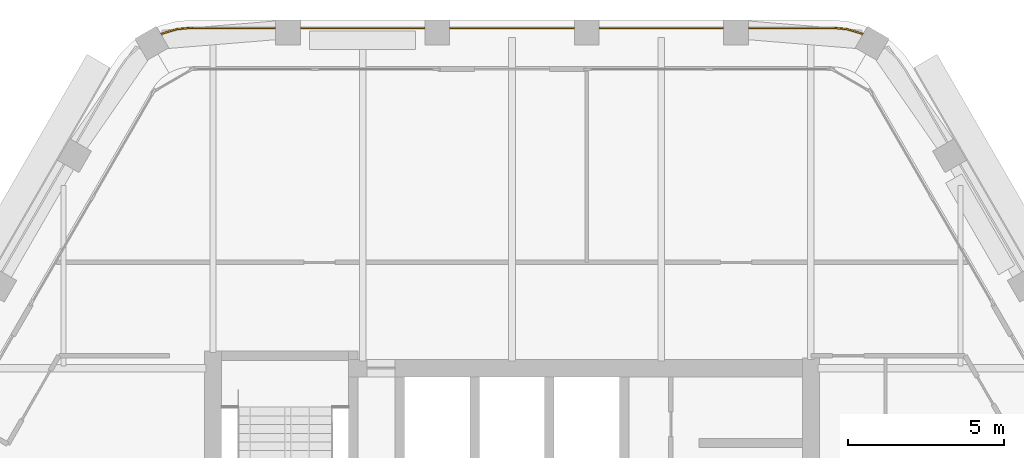
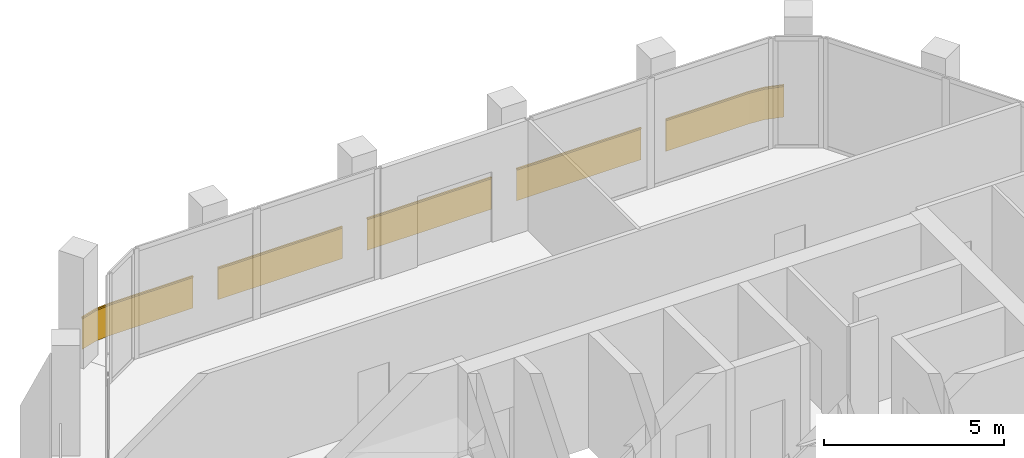
# One storey, part 13 of 13: 1 railing.
"""IFC4 building model written with IfcOpenShell, lengths in metres."""

from ifc_helpers import new_model, si_unit, direction, frame, frame_2d, origin, origin_2d, place, context, subcontext, project, spatial, rectangle, extrude, material, type_object, element, save


model = new_model("IFC4")

# Units and contexts
model_context = context("Model", 3, precision=1e-05, world=origin(), true_north=direction((0.0, 1.0)))
body_context = subcontext(model_context, "Body", "Model", "MODEL_VIEW")
ifc_project = project(units=[si_unit("LENGTHUNIT", "METRE"), si_unit("AREAUNIT", "SQUARE_METRE"), si_unit("VOLUMEUNIT", "CUBIC_METRE"), si_unit("PLANEANGLEUNIT", "RADIAN"), si_unit("MASSUNIT", "GRAM", prefix="KILO")], contexts=[model_context])

# Site, building, storey
site_placement = place(None, origin())
site = spatial("IfcSite", under=ifc_project, at=site_placement, CompositionType="ELEMENT")
building_placement = place(site_placement, origin())
building = spatial("IfcBuilding", under=site, at=building_placement, Name="Kolab Exchange Tower", CompositionType="ELEMENT")
storey_placement = place(building_placement, frame((0.0, 0.0, 273.5)))
storey = spatial("IfcBuildingStorey", under=building, at=storey_placement, Name="L61", CompositionType="ELEMENT", Elevation=273.5)

# Railing
ifc_material = material(Name="Steel S235", Category="steel")
railing_type = type_object("IfcRailingType", Name="GUARD 1100 GLASS BALUSTRADE AND STEEL TOP RAIL", PredefinedType="GUARDRAIL", material=ifc_material)
railing_placement = place(storey_placement, frame((11.280517578125, 20.335205078125, 0.0)))
element("IfcRailing", 1, at=railing_placement, inside=storey, type_object=railing_type, Name="Guard", PredefinedType="GUARDRAIL", context=body_context, shape_type="SweptSolid", body=[
    extrude(rectangle(XDim=0.05, YDim=0.05, at=origin_2d()), frame((0.0, 0.0, 1.0751953125), z_axis=(-0.959212061764, 0.282687496304, 0.0), x_axis=(-0.282687496304, -0.959212061764, 0.0)), (0.0, 0.0, 1.0), 0.557861328125),
    extrude(rectangle(XDim=0.012, YDim=1.05009765625, at=frame_2d((0.0, 0.525146484375))), frame((0.0, 0.0, 0.0), z_axis=(-0.959212061764, 0.282687496304, 0.0), x_axis=(-0.282687496304, -0.959212061764, 0.0)), (0.0, 0.0, 1.0), 0.557861328125),
    extrude(rectangle(XDim=0.05, YDim=0.05, at=origin_2d()), frame((-0.53515625, 0.15771484375, 1.0751953125), z_axis=(-0.996196482496, 0.087135344505, 0.0), x_axis=(-0.087135344505, -0.996196482496, 0.0)), (0.0, 0.0, 1.0), 0.47900390625),
    extrude(rectangle(XDim=0.012, YDim=1.05009765625, at=frame_2d((0.0, 0.525146484375))), frame((-0.53515625, 0.15771484375, 0.0), z_axis=(-0.996196482496, 0.087135344505, 0.0), x_axis=(-0.087135344505, -0.996196482496, 0.0)), (0.0, 0.0, 1.0), 0.47900390625),
    extrude(rectangle(XDim=0.05, YDim=0.05, at=origin_2d()), frame((-1.012451171875, 0.199462890625, 1.0751953125), z_axis=(-1.0, 0.0, 0.0), x_axis=(0.0, -1.0, 0.0)), (0.0, 0.0, 1.0), 2.66796875),
    extrude(rectangle(XDim=0.012, YDim=1.05009765625, at=frame_2d((0.0, 0.525146484375))), frame((-1.012451171875, 0.199462890625, 0.0), z_axis=(-1.0, 0.0, 0.0), x_axis=(0.0, -1.0, 0.0)), (0.0, 0.0, 1.0), 2.66796875),
    extrude(rectangle(XDim=0.05, YDim=0.05, at=origin_2d()), frame((-4.48046875, 0.199462890625, 1.0751953125), z_axis=(-1.0, 0.0, 0.0), x_axis=(0.0, -1.0, 0.0)), (0.0, 0.0, 1.0), 4.0),
    extrude(rectangle(XDim=0.012, YDim=1.05009765625, at=frame_2d((0.0, 0.525146484375))), frame((-4.48046875, 0.199462890625, 0.0), z_axis=(-1.0, 0.0, 0.0), x_axis=(0.0, -1.0, 0.0)), (0.0, 0.0, 1.0), 4.0),
    extrude(rectangle(XDim=0.05, YDim=0.05, at=origin_2d()), frame((-9.280517578125, 0.199462890625, 1.0751953125), z_axis=(-1.0, 0.0, 0.0), x_axis=(0.0, -1.0, 0.0)), (0.0, 0.0, 1.0), 4.0),
    extrude(rectangle(XDim=0.012, YDim=1.05009765625, at=frame_2d((0.0, 0.525146484375))), frame((-9.280517578125, 0.199462890625, 0.0), z_axis=(-1.0, 0.0, 0.0), x_axis=(0.0, -1.0, 0.0)), (0.0, 0.0, 1.0), 4.0),
    extrude(rectangle(XDim=0.05, YDim=0.05, at=origin_2d()), frame((-14.08056640625, 0.199462890625, 1.0751953125), z_axis=(-1.0, 0.0, 0.0), x_axis=(0.0, -1.0, 0.0)), (0.0, 0.0, 1.0), 4.0),
    extrude(rectangle(XDim=0.012, YDim=1.05009765625, at=frame_2d((0.0, 0.525146484375))), frame((-14.08056640625, 0.199462890625, 0.0), z_axis=(-1.0, 0.0, 0.0), x_axis=(0.0, -1.0, 0.0)), (0.0, 0.0, 1.0), 4.0),
    extrude(rectangle(XDim=0.05, YDim=0.05, at=origin_2d()), frame((-18.880615234375, 0.199462890625, 1.0751953125), z_axis=(-1.0, 0.0, 0.0), x_axis=(0.0, -1.0, 0.0)), (0.0, 0.0, 1.0), 2.66796875),
    extrude(rectangle(XDim=0.012, YDim=1.05009765625, at=frame_2d((0.0, 0.525146484375))), frame((-18.880615234375, 0.199462890625, 0.0), z_axis=(-1.0, 0.0, 0.0), x_axis=(0.0, -1.0, 0.0)), (0.0, 0.0, 1.0), 2.66796875),
    extrude(rectangle(XDim=0.05, YDim=0.05, at=origin_2d()), frame((-21.548583984375, 0.199462890625, 1.0751953125), z_axis=(-0.996196482496, -0.087135344505, 0.0), x_axis=(0.087135344505, -0.996196482496, 0.0)), (0.0, 0.0, 1.0), 0.47900390625),
    extrude(rectangle(XDim=0.012, YDim=1.05009765625, at=frame_2d((0.0, 0.525146484375))), frame((-21.548583984375, 0.199462890625, 0.0), z_axis=(-0.996196482496, -0.087135344505, 0.0), x_axis=(0.087135344505, -0.996196482496, 0.0)), (0.0, 0.0, 1.0), 0.47900390625),
    extrude(rectangle(XDim=0.05, YDim=0.05, at=origin_2d()), frame((-22.02587890625, 0.15771484375, 1.0751953125), z_axis=(-0.959212061764, -0.282687496304, 0.0), x_axis=(0.282687496304, -0.959212061764, 0.0)), (0.0, 0.0, 1.0), 0.557861328125),
    extrude(rectangle(XDim=0.012, YDim=1.05009765625, at=frame_2d((0.0, 0.525146484375))), frame((-22.02587890625, 0.15771484375, 0.0), z_axis=(-0.959212061764, -0.282687496304, 0.0), x_axis=(0.282687496304, -0.959212061764, 0.0)), (0.0, 0.0, 1.0), 0.557861328125),
])

save(model, "model.ifc")
